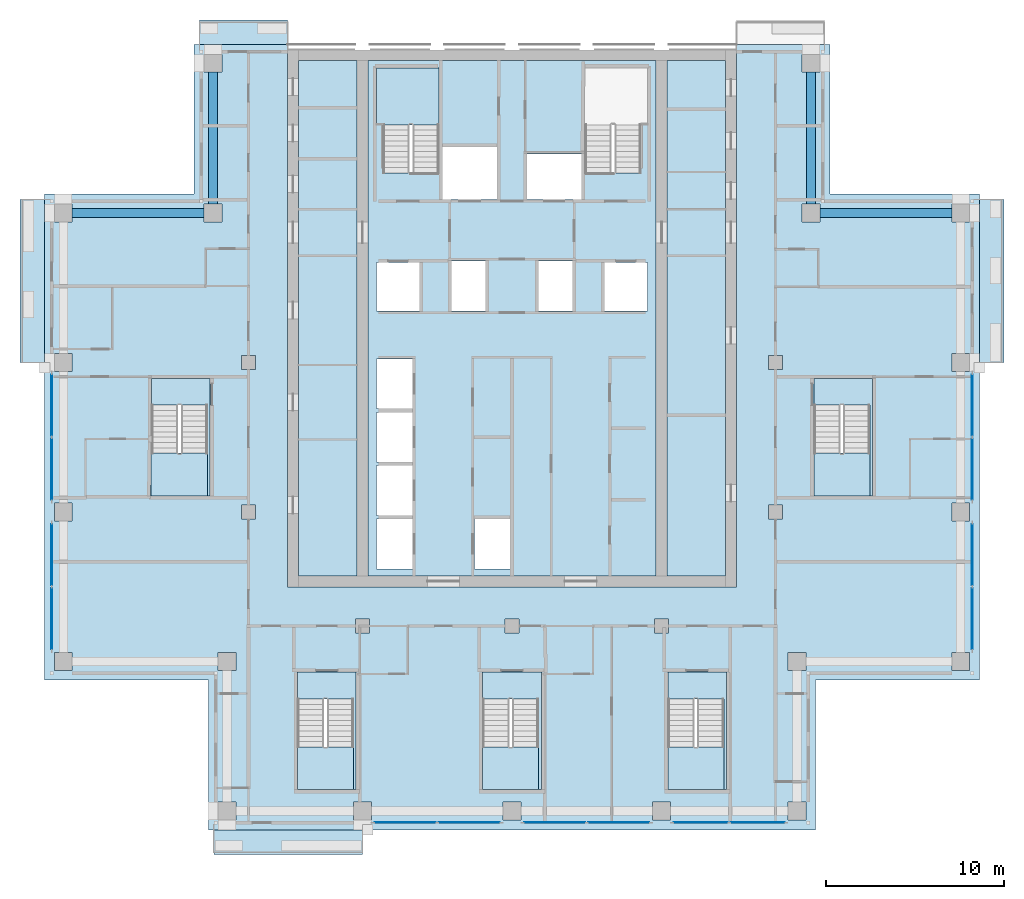
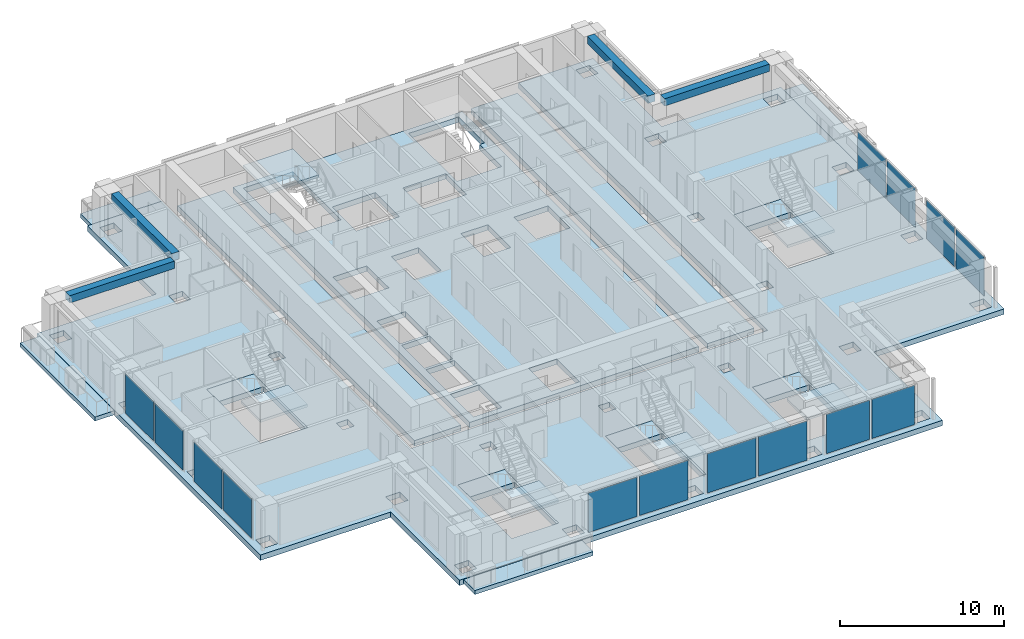
# One storey, part 6 of 16: 19 slabs, 14 plates, 4 beams, 13 elements without a shape of their own.
"""IFC4 building model written with IfcOpenShell, lengths in metres."""

from ifc_helpers import new_model, si_unit, direction, frame, origin, origin_2d, place, context, subcontext, project, spatial, polyline, rectangle, outline, extrude, material, layer, layer_set, material_profile, profile_set, type_object, element, aggregate, save


model = new_model("IFC4")

# Units and contexts
model_context = context("Model", 3, precision=1e-05, world=origin(), true_north=direction((0.0, 1.0)))
body_context = subcontext(model_context, "Body", "Model", "MODEL_VIEW")
ifc_project = project(units=[si_unit("LENGTHUNIT", "METRE"), si_unit("AREAUNIT", "SQUARE_METRE"), si_unit("VOLUMEUNIT", "CUBIC_METRE"), si_unit("PLANEANGLEUNIT", "RADIAN"), si_unit("MASSUNIT", "GRAM", prefix="KILO")], contexts=[model_context])

# Site, building, storey
site_placement = place(None, origin())
site = spatial("IfcSite", under=ifc_project, at=site_placement, CompositionType="ELEMENT")
building_placement = place(site_placement, origin())
building = spatial("IfcBuilding", under=site, at=building_placement, Name="Vermilion Ogive Tower", CompositionType="ELEMENT")
storey_placement = place(building_placement, frame((0.0, 0.0, 179.0)))
storey = spatial("IfcBuildingStorey", under=building, at=storey_placement, Name="L46", CompositionType="ELEMENT", Elevation=179.0)

# Beams
ifc_material_1 = material(Name="Concrete B45", Category="concrete")
ifc_material_profile = material_profile(ifc_material_1, rectangle(XDim=0.5, YDim=0.550048828125, at=origin_2d()), Name="500 x 550")
ifc_profile_set = profile_set([ifc_material_profile], Name="Concrete B45")
beam_type = type_object("IfcBeamType", Name="Edge beam 500 x 550 B45", PredefinedType="BEAM", material=ifc_profile_set)
for number, where, z_axis, x_axis, name in (
    (1, (24.699951171875, 12.60009765625, 2.77490234375), (-1.0, 0.0, 0.0), (0.0, -1.0, 0.0), "L46-EB-10"),
    (2, (16.800048828125, 13.10009765625, 2.77490234375), (0.0, 1.0, 0.0), (-1.0, 0.0, 0.0), "L46-EB-11"),
    (3, (-16.800048828125, 20.5, 2.77490234375), (0.0, -1.0, 0.0), (1.0, 0.0, 0.0), "L46-EB-12"),
    (4, (-17.300048828125, 12.60009765625, 2.77490234375), (-1.0, 0.0, 0.0), (0.0, -1.0, 0.0), "L46-EB-13"),
):
    element("IfcBeam", number, at=place(storey_placement, frame(where, z_axis=z_axis, x_axis=x_axis)), inside=storey, type_object=beam_type, Name=name, PredefinedType="BEAM", context=body_context, shape_type="SweptSolid", body=[
        extrude(rectangle(XDim=0.5, YDim=0.550048828125, at=origin_2d()), origin(), (0.0, 0.0, 1.0), 7.39990234375),
    ])

# Slabs
ifc_material_2 = material(Name="Concrete B40", Category="concrete")
ifc_layer_1 = layer(ifc_material_2, 0.300048828125)
ifc_layer_set_1 = layer_set([ifc_layer_1], Name="Balcony slab")
slab_type_1 = type_object("IfcSlabType", Name="Balcony slab", PredefinedType="FLOOR", material=ifc_layer_set_1)
slab_1_placement = place(storey_placement, frame((0.0, 0.0, -0.340087890625)))
element("IfcSlab", 5, at=slab_1_placement, inside=storey, type_object=slab_type_1, Name="Balcony slab S01", PredefinedType="FLOOR", context=body_context, shape_type="SweptSolid", body=[
    extrude(outline(polyline([(-16.75, -23.43408203125), (-8.39990234375, -23.43408203125), (-8.39990234375, -22.050048828125), (-16.75, -22.050048828125), (-16.75, -23.43408203125)])), origin(), (0.0, 0.0, 1.0), 0.300048828125),
])
slab_2_placement = place(storey_placement, frame((0.0, 0.0, -0.340087890625)))
element("IfcSlab", 6, at=slab_2_placement, inside=storey, type_object=slab_type_1, Name="Balcony slab E03", PredefinedType="FLOOR", context=body_context, shape_type="SweptSolid", body=[
    extrude(outline(polyline([(27.634033203125, 4.199951171875), (27.634033203125, 13.35009765625), (26.25, 13.35009765625), (26.25, 4.199951171875), (27.634033203125, 4.199951171875)])), origin(), (0.0, 0.0, 1.0), 0.300048828125),
])
slab_3_placement = place(storey_placement, frame((0.0, 0.0, -0.340087890625)))
element("IfcSlab", 7, at=slab_3_placement, inside=storey, type_object=slab_type_1, Name="Balcony slab N201", PredefinedType="FLOOR", context=body_context, shape_type="SweptSolid", body=[
    extrude(outline(polyline([(-12.60009765625, 23.43408203125), (-17.550048828125, 23.43408203125), (-17.550048828125, 22.050048828125), (-12.60009765625, 22.050048828125), (-12.60009765625, 23.43408203125)])), origin(), (0.0, 0.0, 1.0), 0.300048828125),
])
slab_4_placement = place(storey_placement, frame((0.0, 0.0, -0.340087890625)))
element("IfcSlab", 8, at=slab_4_placement, inside=storey, type_object=slab_type_1, Name="Balcony slab W01", PredefinedType="FLOOR", context=body_context, shape_type="SweptSolid", body=[
    extrude(outline(polyline([(-27.634033203125, 13.35009765625), (-27.634033203125, 4.199951171875), (-26.25, 4.199951171875), (-26.25, 13.35009765625), (-27.634033203125, 13.35009765625)])), origin(), (0.0, 0.0, 1.0), 0.300048828125),
])

# Curtain wall, plates
ifc_material_3 = material(Name="Low-iron laminated glazing in aluminium frame", Category="aluminium")
curtain_wall_type = type_object("IfcCurtainWallType", Name="Curtain wall CW7", PredefinedType="NOTDEFINED", material=ifc_material_3)
curtain_wall_1_placement = place(storey_placement, origin())
curtain_wall_1 = element("IfcCurtainWall", 9, at=curtain_wall_1_placement, inside=storey, type_object=curtain_wall_type, Name="Glazed skin S2", PredefinedType="NOTDEFINED")
ifc_material_4 = material(Name="Low-iron laminated glazing in aluminium frame", Category="aluminium")
ifc_layer_2 = layer(ifc_material_4, 0.031982421875)
ifc_layer_set_2 = layer_set([ifc_layer_2], Name="CW7 glazing panel 32")
plate_type = type_object("IfcPlateType", Name="CW7 glazing panel 32", PredefinedType="CURTAIN_PANEL", material=ifc_layer_set_2)
plate_1_placement = place(storey_placement, frame((-6.0048828125, -21.64990234375, 0.06005859375), z_axis=(0.0, 0.0, 1.0), x_axis=(1.0, 0.0, 0.0)))
plate_1 = element("IfcPlate", 10, at=plate_1_placement, type_object=plate_type, Name="CW7-S2 panel 1.1", PredefinedType="CURTAIN_PANEL", context=body_context, shape_type="SweptSolid", body=[
    extrude(rectangle(XDim=3.429931640625, YDim=0.031982421875, at=origin_2d()), origin(), (0.0, 0.0, 1.0), 2.929931640625),
])
plate_2_placement = place(storey_placement, frame((-2.39501953125, -21.64990234375, 0.06005859375), z_axis=(0.0, 0.0, 1.0), x_axis=(1.0, 0.0, 0.0)))
plate_2 = element("IfcPlate", 11, at=plate_2_placement, type_object=plate_type, Name="CW7-S2 panel 2.1", PredefinedType="CURTAIN_PANEL", context=body_context, shape_type="SweptSolid", body=[
    extrude(rectangle(XDim=3.429931640625, YDim=0.031982421875, at=origin_2d()), origin(), (0.0, 0.0, 1.0), 2.929931640625),
])
aggregate(curtain_wall_1, [plate_1, plate_2])

curtain_wall_2_placement = place(storey_placement, origin())
curtain_wall_2 = element("IfcCurtainWall", 12, at=curtain_wall_2_placement, inside=storey, type_object=curtain_wall_type, Name="Glazed skin S3", PredefinedType="NOTDEFINED")
plate_3_placement = place(storey_placement, frame((2.39501953125, -21.64990234375, 0.06005859375), z_axis=(0.0, 0.0, 1.0), x_axis=(1.0, 0.0, 0.0)))
plate_3 = element("IfcPlate", 13, at=plate_3_placement, type_object=plate_type, Name="CW7-S3 panel 1.1", PredefinedType="CURTAIN_PANEL", context=body_context, shape_type="SweptSolid", body=[
    extrude(rectangle(XDim=3.429931640625, YDim=0.031982421875, at=origin_2d()), origin(), (0.0, 0.0, 1.0), 2.929931640625),
])
plate_4_placement = place(storey_placement, frame((6.0048828125, -21.64990234375, 0.06005859375), z_axis=(0.0, 0.0, 1.0), x_axis=(1.0, 0.0, 0.0)))
plate_4 = element("IfcPlate", 14, at=plate_4_placement, type_object=plate_type, Name="CW7-S3 panel 2.1", PredefinedType="CURTAIN_PANEL", context=body_context, shape_type="SweptSolid", body=[
    extrude(rectangle(XDim=3.429931640625, YDim=0.031982421875, at=origin_2d()), origin(), (0.0, 0.0, 1.0), 2.929931640625),
])
aggregate(curtain_wall_2, [plate_3, plate_4])

curtain_wall_3_placement = place(storey_placement, origin())
curtain_wall_3 = element("IfcCurtainWall", 15, at=curtain_wall_3_placement, inside=storey, type_object=curtain_wall_type, Name="Glazed skin S4", PredefinedType="NOTDEFINED")
plate_5_placement = place(storey_placement, frame((10.594970703125, -21.64990234375, 0.06005859375), z_axis=(0.0, 0.0, 1.0), x_axis=(1.0, 0.0, 0.0)))
plate_5 = element("IfcPlate", 16, at=plate_5_placement, type_object=plate_type, Name="CW7-S4 panel 1.1", PredefinedType="CURTAIN_PANEL", context=body_context, shape_type="SweptSolid", body=[
    extrude(rectangle(XDim=3.030029296875, YDim=0.031982421875, at=origin_2d()), origin(), (0.0, 0.0, 1.0), 2.929931640625),
])
plate_6_placement = place(storey_placement, frame((13.804931640625, -21.64990234375, 0.06005859375), z_axis=(0.0, 0.0, 1.0), x_axis=(1.0, 0.0, 0.0)))
plate_6 = element("IfcPlate", 17, at=plate_6_placement, type_object=plate_type, Name="CW7-S4 panel 2.1", PredefinedType="CURTAIN_PANEL", context=body_context, shape_type="SweptSolid", body=[
    extrude(rectangle(XDim=3.030029296875, YDim=0.031982421875, at=origin_2d()), origin(), (0.0, 0.0, 1.0), 2.929931640625),
])
aggregate(curtain_wall_3, [plate_5, plate_6])

curtain_wall_4_placement = place(storey_placement, origin())
curtain_wall_4 = element("IfcCurtainWall", 18, at=curtain_wall_4_placement, inside=storey, type_object=curtain_wall_type, Name="Glazed skin E1", PredefinedType="NOTDEFINED")
plate_7_placement = place(storey_placement, frame((25.85009765625, -10.205078125, 0.06005859375), z_axis=(0.0, 0.0, 1.0), x_axis=(0.0, 1.0, 0.0)))
plate_7 = element("IfcPlate", 19, at=plate_7_placement, type_object=plate_type, Name="CW7-E1 panel 1.1", PredefinedType="CURTAIN_PANEL", context=body_context, shape_type="SweptSolid", body=[
    extrude(rectangle(XDim=3.429931640625, YDim=0.031982421875, at=origin_2d()), origin(), (0.0, 0.0, 1.0), 2.929931640625),
])
plate_8_placement = place(storey_placement, frame((25.85009765625, -6.594970703125, 0.06005859375), z_axis=(0.0, 0.0, 1.0), x_axis=(0.0, 1.0, 0.0)))
plate_8 = element("IfcPlate", 20, at=plate_8_placement, type_object=plate_type, Name="CW7-E1 panel 2.1", PredefinedType="CURTAIN_PANEL", context=body_context, shape_type="SweptSolid", body=[
    extrude(rectangle(XDim=3.429931640625, YDim=0.031982421875, at=origin_2d()), origin(), (0.0, 0.0, 1.0), 2.929931640625),
])
aggregate(curtain_wall_4, [plate_7, plate_8])

curtain_wall_5_placement = place(storey_placement, origin())
curtain_wall_5 = element("IfcCurtainWall", 21, at=curtain_wall_5_placement, inside=storey, type_object=curtain_wall_type, Name="Glazed skin E2", PredefinedType="NOTDEFINED")
plate_9_placement = place(storey_placement, frame((25.85009765625, -1.804931640625, 0.06005859375), z_axis=(0.0, 0.0, 1.0), x_axis=(0.0, 1.0, 0.0)))
plate_9 = element("IfcPlate", 22, at=plate_9_placement, type_object=plate_type, Name="CW7-E2 panel 1.1", PredefinedType="CURTAIN_PANEL", context=body_context, shape_type="SweptSolid", body=[
    extrude(rectangle(XDim=3.429931640625, YDim=0.031982421875, at=origin_2d()), origin(), (0.0, 0.0, 1.0), 2.929931640625),
])
plate_10_placement = place(storey_placement, frame((25.85009765625, 1.804931640625, 0.06005859375), z_axis=(0.0, 0.0, 1.0), x_axis=(0.0, 1.0, 0.0)))
plate_10 = element("IfcPlate", 23, at=plate_10_placement, type_object=plate_type, Name="CW7-E2 panel 2.1", PredefinedType="CURTAIN_PANEL", context=body_context, shape_type="SweptSolid", body=[
    extrude(rectangle(XDim=3.429931640625, YDim=0.031982421875, at=origin_2d()), origin(), (0.0, 0.0, 1.0), 2.929931640625),
])
aggregate(curtain_wall_5, [plate_9, plate_10])

curtain_wall_6_placement = place(storey_placement, origin())
curtain_wall_6 = element("IfcCurtainWall", 24, at=curtain_wall_6_placement, inside=storey, type_object=curtain_wall_type, Name="Glazed skin W2", PredefinedType="NOTDEFINED")
plate_11_placement = place(storey_placement, frame((-25.85009765625, 1.804931640625, 0.06005859375), z_axis=(0.0, 0.0, 1.0), x_axis=(0.0, -1.0, 0.0)))
plate_11 = element("IfcPlate", 25, at=plate_11_placement, type_object=plate_type, Name="CW7-W2 panel 1.1", PredefinedType="CURTAIN_PANEL", context=body_context, shape_type="SweptSolid", body=[
    extrude(rectangle(XDim=3.429931640625, YDim=0.031982421875, at=origin_2d()), origin(), (0.0, 0.0, 1.0), 2.929931640625),
])
plate_12_placement = place(storey_placement, frame((-25.85009765625, -1.804931640625, 0.06005859375), z_axis=(0.0, 0.0, 1.0), x_axis=(0.0, -1.0, 0.0)))
plate_12 = element("IfcPlate", 26, at=plate_12_placement, type_object=plate_type, Name="CW7-W2 panel 2.1", PredefinedType="CURTAIN_PANEL", context=body_context, shape_type="SweptSolid", body=[
    extrude(rectangle(XDim=3.429931640625, YDim=0.031982421875, at=origin_2d()), origin(), (0.0, 0.0, 1.0), 2.929931640625),
])
aggregate(curtain_wall_6, [plate_11, plate_12])

curtain_wall_7_placement = place(storey_placement, origin())
curtain_wall_7 = element("IfcCurtainWall", 27, at=curtain_wall_7_placement, inside=storey, type_object=curtain_wall_type, Name="Glazed skin W3", PredefinedType="NOTDEFINED")
plate_13_placement = place(storey_placement, frame((-25.85009765625, -6.594970703125, 0.06005859375), z_axis=(0.0, 0.0, 1.0), x_axis=(0.0, -1.0, 0.0)))
plate_13 = element("IfcPlate", 28, at=plate_13_placement, type_object=plate_type, Name="CW7-W3 panel 1.1", PredefinedType="CURTAIN_PANEL", context=body_context, shape_type="SweptSolid", body=[
    extrude(rectangle(XDim=3.429931640625, YDim=0.031982421875, at=origin_2d()), origin(), (0.0, 0.0, 1.0), 2.929931640625),
])
plate_14_placement = place(storey_placement, frame((-25.85009765625, -10.205078125, 0.06005859375), z_axis=(0.0, 0.0, 1.0), x_axis=(0.0, -1.0, 0.0)))
plate_14 = element("IfcPlate", 29, at=plate_14_placement, type_object=plate_type, Name="CW7-W3 panel 2.1", PredefinedType="CURTAIN_PANEL", context=body_context, shape_type="SweptSolid", body=[
    extrude(rectangle(XDim=3.429931640625, YDim=0.031982421875, at=origin_2d()), origin(), (0.0, 0.0, 1.0), 2.929931640625),
])
aggregate(curtain_wall_7, [plate_13, plate_14])

# Slabs
ifc_material_5 = material(Name="Concrete B40", Category="concrete")
ifc_layer_3 = layer(ifc_material_5, 0.39990234375)
ifc_layer_set_3 = layer_set([ifc_layer_3], Name="Core floor slab 400 B40")
slab_type_2 = type_object("IfcSlabType", Name="Core floor slab 400 B40", PredefinedType="FLOOR", material=ifc_layer_set_3)
slab_5_placement = place(storey_placement, frame((0.0, 0.0, -0.39990234375)))
element("IfcSlab", 30, at=slab_5_placement, inside=storey, type_object=slab_type_2, Name="L46-CK-FS1", PredefinedType="FLOOR", context=body_context, shape_type="SweptSolid", body=[
    extrude(outline(polyline([(-11.99609375, 21.14599609375), (-8.7041015625, 21.14599609375), (-8.7041015625, -7.7958984375), (-11.99609375, -7.7958984375), (-11.99609375, 21.14599609375)])), origin(), (0.0, 0.0, 1.0), 0.39990234375),
])
slab_6_placement = place(storey_placement, frame((0.0, 0.0, -0.39990234375)))
element("IfcSlab", 31, at=slab_6_placement, inside=storey, type_object=slab_type_2, Name="L46-CK-FS2", PredefinedType="FLOOR", context=body_context, shape_type="SweptSolid", body=[
    extrude(outline(polyline([(-8.095947265625, -7.7958984375), (8.095947265625, -7.7958984375), (8.095947265625, 21.14599609375), (-8.095947265625, 21.14599609375), (-8.095947265625, -7.7958984375)]), holes=[polyline([(-7.60009765625, -7.39990234375), (-7.60009765625, -4.60009765625), (-5.60009765625, -4.60009765625), (-5.60009765625, -7.39990234375), (-7.60009765625, -7.39990234375)]), polyline([(-7.60009765625, -4.39990234375), (-7.60009765625, -1.60009765625), (-5.60009765625, -1.60009765625), (-5.60009765625, -4.39990234375), (-7.60009765625, -4.39990234375)]), polyline([(-7.60009765625, -1.39990234375), (-7.60009765625, 1.39990234375), (-5.60009765625, 1.39990234375), (-5.60009765625, -1.39990234375), (-7.60009765625, -1.39990234375)]), polyline([(-7.60009765625, 1.60009765625), (-7.60009765625, 4.39990234375), (-5.60009765625, 4.39990234375), (-5.60009765625, 1.60009765625), (-7.60009765625, 1.60009765625)]), polyline([(-7.60009765625, 7.10009765625), (-7.60009765625, 9.800048828125), (-5.199951171875, 9.800048828125), (-5.199951171875, 7.10009765625), (-7.60009765625, 7.10009765625)]), polyline([(-3.39990234375, 9.89990234375), (-1.5, 9.89990234375), (-1.5, 7.10009765625), (-3.39990234375, 7.10009765625), (-3.39990234375, 9.89990234375)]), polyline([(-7.60009765625, 17.550048828125), (-7.60009765625, 20.75), (-4.10009765625, 20.75), (-4.10009765625, 14.85205078125), (-5.60009765625, 14.85205078125), (-5.60009765625, 14.85009765625), (-5.75, 14.85009765625), (-5.75, 14.85205078125), (-7.25, 14.85205078125), (-7.25, 17.550048828125), (-7.60009765625, 17.550048828125)]), polyline([(-2.10009765625, -7.39990234375), (-2.10009765625, -4.60009765625), (-0.10009765625, -4.60009765625), (-0.10009765625, -7.39990234375), (-2.10009765625, -7.39990234375)]), polyline([(5.199951171875, 7.10009765625), (5.199951171875, 9.800048828125), (7.60009765625, 9.800048828125), (7.60009765625, 7.10009765625), (5.199951171875, 7.10009765625)]), polyline([(1.5, 7.10009765625), (1.5, 9.89990234375), (3.39990234375, 9.89990234375), (3.39990234375, 7.10009765625), (1.5, 7.10009765625)]), polyline([(0.85009765625, 13.35009765625), (0.85009765625, 15.89990234375), (3.89990234375, 15.89990234375), (3.89990234375, 13.35009765625), (0.85009765625, 13.35009765625)]), polyline([(-3.89990234375, 16.300048828125), (-0.85009765625, 16.300048828125), (-0.85009765625, 13.35009765625), (-3.89990234375, 13.35009765625), (-3.89990234375, 16.300048828125)]), polyline([(5.75, 14.85009765625), (5.60009765625, 14.85009765625), (5.60009765625, 14.85205078125), (4.10009765625, 14.85205078125), (4.10009765625, 17.550048828125), (4.074951171875, 17.550048828125), (4.074951171875, 20.75), (7.60009765625, 20.75), (7.60009765625, 17.550048828125), (7.25, 17.550048828125), (7.25, 14.85205078125), (5.75, 14.85205078125), (5.75, 14.85009765625)])]), origin(), (0.0, 0.0, 1.0), 0.39990234375),
])
slab_7_placement = place(storey_placement, frame((0.0, 0.0, -0.39990234375)))
element("IfcSlab", 32, at=slab_7_placement, inside=storey, type_object=slab_type_2, Name="L46-CK-FS3", PredefinedType="FLOOR", context=body_context, shape_type="SweptSolid", body=[
    extrude(outline(polyline([(11.99609375, 21.14599609375), (11.99609375, -7.7958984375), (8.7041015625, -7.7958984375), (8.7041015625, 21.14599609375), (11.99609375, 21.14599609375)])), origin(), (0.0, 0.0, 1.0), 0.39990234375),
])
slab_8_placement = place(storey_placement, frame((0.0, 0.0, -0.39990234375)))
element("IfcSlab", 33, at=slab_8_placement, inside=storey, type_object=slab_type_2, Name="L46-SF-ST3-1", PredefinedType="FLOOR", context=body_context, shape_type="SweptSolid", body=[
    extrude(outline(polyline([(-12.050048828125, -13.199951171875), (-12.050048828125, -14.701904296875), (-10.550048828125, -14.701904296875), (-10.550048828125, -14.699951171875), (-10.39990234375, -14.699951171875), (-10.39990234375, -14.701904296875), (-8.89990234375, -14.701904296875), (-8.89990234375, -19.800048828125), (-8.75, -19.800048828125), (-8.75, -13.199951171875), (-12.050048828125, -13.199951171875)])), origin(), (0.0, 0.0, 1.0), 0.39990234375),
])
slab_9_placement = place(storey_placement, frame((0.0, 0.0, -0.39990234375)))
element("IfcSlab", 34, at=slab_9_placement, inside=storey, type_object=slab_type_2, Name="L46-SF-ST4-1", PredefinedType="FLOOR", context=body_context, shape_type="SweptSolid", body=[
    extrude(outline(polyline([(-1.64990234375, -13.199951171875), (-1.64990234375, -14.701904296875), (-0.14990234375, -14.701904296875), (-0.14990234375, -14.699951171875), (0.0, -14.699951171875), (0.0, -14.701904296875), (1.5, -14.701904296875), (1.5, -19.800048828125), (1.64990234375, -19.800048828125), (1.64990234375, -13.199951171875), (-1.64990234375, -13.199951171875)])), origin(), (0.0, 0.0, 1.0), 0.39990234375),
])
slab_10_placement = place(storey_placement, frame((0.0, 0.0, -0.39990234375)))
element("IfcSlab", 35, at=slab_10_placement, inside=storey, type_object=slab_type_2, Name="L46-SF-ST5-1", PredefinedType="FLOOR", context=body_context, shape_type="SweptSolid", body=[
    extrude(outline(polyline([(8.75, -13.199951171875), (8.75, -14.701904296875), (10.25, -14.701904296875), (10.25, -14.699951171875), (10.39990234375, -14.699951171875), (10.39990234375, -14.701904296875), (11.89990234375, -14.701904296875), (11.89990234375, -19.800048828125), (12.050048828125, -19.800048828125), (12.050048828125, -13.199951171875), (8.75, -13.199951171875)])), origin(), (0.0, 0.0, 1.0), 0.39990234375),
])
slab_11_placement = place(storey_placement, frame((0.0, 0.0, -0.39990234375)))
element("IfcSlab", 36, at=slab_11_placement, inside=storey, type_object=slab_type_2, Name="L46-SF-ST8-1", PredefinedType="FLOOR", context=body_context, shape_type="SweptSolid", body=[
    extrude(outline(polyline([(16.949951171875, 3.300048828125), (16.949951171875, 1.798095703125), (18.449951171875, 1.798095703125), (18.449951171875, 1.800048828125), (18.60009765625, 1.800048828125), (18.60009765625, 1.798095703125), (20.10009765625, 1.798095703125), (20.10009765625, -3.300048828125), (20.25, -3.300048828125), (20.25, 3.300048828125), (16.949951171875, 3.300048828125)])), origin(), (0.0, 0.0, 1.0), 0.39990234375),
])
slab_12_placement = place(storey_placement, frame((0.0, 0.0, -0.39990234375)))
element("IfcSlab", 37, at=slab_12_placement, inside=storey, type_object=slab_type_2, Name="L46-SF-ST9-1", PredefinedType="FLOOR", context=body_context, shape_type="SweptSolid", body=[
    extrude(outline(polyline([(-20.25, 3.300048828125), (-20.25, 1.798095703125), (-18.75, 1.798095703125), (-18.75, 1.800048828125), (-18.60009765625, 1.800048828125), (-18.60009765625, 1.798095703125), (-17.10009765625, 1.798095703125), (-17.10009765625, -3.300048828125), (-16.949951171875, -3.300048828125), (-16.949951171875, 3.300048828125), (-20.25, 3.300048828125)])), origin(), (0.0, 0.0, 1.0), 0.39990234375),
])
ifc_material_6 = material(Name="Concrete B45", Category="concrete")
ifc_layer_4 = layer(ifc_material_6, 0.39990234375)
ifc_layer_set_4 = layer_set([ifc_layer_4], Name="Post-tensioned flat plate 400 B45")
slab_type_3 = type_object("IfcSlabType", Name="Post-tensioned flat plate 400 B45", PredefinedType="FLOOR", material=ifc_layer_set_4)
slab_13_placement = place(storey_placement, frame((0.0, 0.0, -0.39990234375)))
element("IfcSlab", 38, at=slab_13_placement, inside=storey, type_object=slab_type_3, Name="L46-SL-1", PredefinedType="FLOOR", context=body_context, shape_type="SweptSolid", body=[
    extrude(outline(polyline([(-26.25, -13.64990234375), (-17.050048828125, -13.64990234375), (-17.050048828125, -22.050048828125), (17.050048828125, -22.050048828125), (17.050048828125, -13.64990234375), (26.25, -13.64990234375), (26.25, 13.64990234375), (17.85009765625, 13.64990234375), (17.85009765625, 22.050048828125), (12.60009765625, 22.050048828125), (12.60009765625, -8.39990234375), (-12.60009765625, -8.39990234375), (-12.60009765625, 22.050048828125), (-17.85009765625, 22.050048828125), (-17.85009765625, 13.64990234375), (-26.25, 13.64990234375), (-26.25, -13.64990234375)]), holes=[polyline([(25.699951171875, -3.699951171875), (25.699951171875, -4.699951171875), (24.699951171875, -4.699951171875), (24.699951171875, -3.699951171875), (25.699951171875, -3.699951171875)]), polyline([(25.699951171875, -12.10009765625), (25.699951171875, -13.10009765625), (24.699951171875, -13.10009765625), (24.699951171875, -12.10009765625), (25.699951171875, -12.10009765625)]), polyline([(25.699951171875, 12.10009765625), (24.699951171875, 12.10009765625), (24.699951171875, 13.10009765625), (25.699951171875, 13.10009765625), (25.699951171875, 12.10009765625)]), polyline([(25.699951171875, 3.699951171875), (24.699951171875, 3.699951171875), (24.699951171875, 4.699951171875), (25.699951171875, 4.699951171875), (25.699951171875, 3.699951171875)]), polyline([(20.25, 3.300048828125), (20.25, -3.300048828125), (16.949951171875, -3.300048828125), (16.949951171875, 3.300048828125), (20.25, 3.300048828125)]), polyline([(17.300048828125, 13.10009765625), (17.300048828125, 12.10009765625), (16.300048828125, 12.10009765625), (16.300048828125, 13.10009765625), (17.300048828125, 13.10009765625)]), polyline([(17.300048828125, 20.5), (16.300048828125, 20.5), (16.300048828125, 21.5), (17.300048828125, 21.5), (17.300048828125, 20.5)]), polyline([(16.5, -12.10009765625), (16.5, -13.10009765625), (15.5, -13.10009765625), (15.5, -12.10009765625), (16.5, -12.10009765625)]), polyline([(16.5, -20.5), (16.5, -21.5), (15.5, -21.5), (15.5, -20.5), (16.5, -20.5)]), polyline([(15.199951171875, 4.60009765625), (15.199951171875, 3.800048828125), (14.39990234375, 3.800048828125), (14.39990234375, 4.60009765625), (15.199951171875, 4.60009765625)]), polyline([(15.199951171875, -4.60009765625), (14.39990234375, -4.60009765625), (14.39990234375, -3.800048828125), (15.199951171875, -3.800048828125), (15.199951171875, -4.60009765625)]), polyline([(12.050048828125, -13.199951171875), (12.050048828125, -19.800048828125), (8.75, -19.800048828125), (8.75, -13.199951171875), (12.050048828125, -13.199951171875)]), polyline([(8.89990234375, -20.5), (8.89990234375, -21.5), (7.89990234375, -21.5), (7.89990234375, -20.5), (8.89990234375, -20.5)]), polyline([(8.800048828125, -11.0), (8.0, -11.0), (8.0, -10.199951171875), (8.800048828125, -10.199951171875), (8.800048828125, -11.0)]), polyline([(1.64990234375, -13.199951171875), (1.64990234375, -19.800048828125), (-1.64990234375, -19.800048828125), (-1.64990234375, -13.199951171875), (1.64990234375, -13.199951171875)]), polyline([(0.5, -20.5), (0.5, -21.5), (-0.5, -21.5), (-0.5, -20.5), (0.5, -20.5)]), polyline([(0.39990234375, -10.199951171875), (0.39990234375, -11.0), (-0.39990234375, -11.0), (-0.39990234375, -10.199951171875), (0.39990234375, -10.199951171875)]), polyline([(-7.89990234375, -20.5), (-7.89990234375, -21.5), (-8.89990234375, -21.5), (-8.89990234375, -20.5), (-7.89990234375, -20.5)]), polyline([(-8.0, -10.199951171875), (-8.0, -11.0), (-8.800048828125, -11.0), (-8.800048828125, -10.199951171875), (-8.0, -10.199951171875)]), polyline([(-8.75, -13.199951171875), (-8.75, -19.800048828125), (-12.050048828125, -19.800048828125), (-12.050048828125, -13.199951171875), (-8.75, -13.199951171875)]), polyline([(-14.39990234375, 4.60009765625), (-14.39990234375, 3.800048828125), (-15.199951171875, 3.800048828125), (-15.199951171875, 4.60009765625), (-14.39990234375, 4.60009765625)]), polyline([(-14.39990234375, -4.60009765625), (-15.199951171875, -4.60009765625), (-15.199951171875, -3.800048828125), (-14.39990234375, -3.800048828125), (-14.39990234375, -4.60009765625)]), polyline([(-15.5, -12.10009765625), (-15.5, -13.10009765625), (-16.5, -13.10009765625), (-16.5, -12.10009765625), (-15.5, -12.10009765625)]), polyline([(-15.5, -20.5), (-15.5, -21.5), (-16.5, -21.5), (-16.5, -20.5), (-15.5, -20.5)]), polyline([(-16.300048828125, 13.10009765625), (-16.300048828125, 12.10009765625), (-17.300048828125, 12.10009765625), (-17.300048828125, 13.10009765625), (-16.300048828125, 13.10009765625)]), polyline([(-16.300048828125, 20.5), (-17.300048828125, 20.5), (-17.300048828125, 21.5), (-16.300048828125, 21.5), (-16.300048828125, 20.5)]), polyline([(-16.949951171875, 3.300048828125), (-16.949951171875, -3.300048828125), (-20.25, -3.300048828125), (-20.25, -3.2998046875), (-20.275146484375, -3.2998046875), (-20.275146484375, -0.89990234375), (-20.25, -0.89990234375), (-20.25, 3.300048828125), (-16.949951171875, 3.300048828125)]), polyline([(-24.699951171875, 3.699951171875), (-25.699951171875, 3.699951171875), (-25.699951171875, 4.699951171875), (-24.699951171875, 4.699951171875), (-24.699951171875, 3.699951171875)]), polyline([(-24.699951171875, 13.10009765625), (-24.699951171875, 12.10009765625), (-25.699951171875, 12.10009765625), (-25.699951171875, 13.10009765625), (-24.699951171875, 13.10009765625)]), polyline([(-24.699951171875, -3.699951171875), (-24.699951171875, -4.699951171875), (-25.699951171875, -4.699951171875), (-25.699951171875, -3.699951171875), (-24.699951171875, -3.699951171875)]), polyline([(-24.699951171875, -12.10009765625), (-24.699951171875, -13.10009765625), (-25.699951171875, -13.10009765625), (-25.699951171875, -12.10009765625), (-24.699951171875, -12.10009765625)])]), origin(), (0.0, 0.0, 1.0), 0.39990234375),
])

# Stair, slab
ifc_material_7 = material(Name="Concrete B40", Category="concrete")
stair_type = type_object("IfcStairType", Name="Exit stair 1500", PredefinedType="HALF_TURN_STAIR", material=ifc_material_7)
stair_1_placement = place(storey_placement, origin())
stair_1 = element("IfcStair", 39, at=stair_1_placement, inside=storey, type_object=stair_type, Name="L46 Exit Stair ST1", PredefinedType="HALF_TURN_STAIR")
ifc_material_8 = material(Name="Concrete B40", Category="concrete")
ifc_layer_5 = layer(ifc_material_8, 0.199951171875)
ifc_layer_set_5 = layer_set([ifc_layer_5], Name="Stair landing 200")
slab_type_4 = type_object("IfcSlabType", Name="Stair landing 200", PredefinedType="LANDING", material=ifc_layer_set_5)
slab_14_placement = place(storey_placement, frame((0.0, 0.0, 1.52490234375)))
slab_14 = element("IfcSlab", 40, at=slab_14_placement, type_object=slab_type_4, Name="ST1 landing 1", PredefinedType="LANDING", context=body_context, shape_type="SweptSolid", body=[
    extrude(outline(polyline([(-7.60009765625, 17.550048828125), (-7.25, 17.550048828125), (-7.25, 17.548095703125), (-5.75, 17.548095703125), (-5.75, 17.550048828125), (-5.60009765625, 17.550048828125), (-5.60009765625, 17.548095703125), (-4.10009765625, 17.548095703125), (-4.10009765625, 20.75), (-7.60009765625, 20.75), (-7.60009765625, 17.550048828125)])), origin(), (0.0, 0.0, 1.0), 0.2001953125),
])
aggregate(stair_1, [slab_14])

stair_2_placement = place(storey_placement, origin())
stair_2 = element("IfcStair", 41, at=stair_2_placement, inside=storey, type_object=stair_type, Name="L46 Exit Stair ST3", PredefinedType="HALF_TURN_STAIR")
slab_15_placement = place(storey_placement, frame((0.0, 0.0, 1.52490234375)))
slab_15 = element("IfcSlab", 42, at=slab_15_placement, type_object=slab_type_4, Name="ST3 landing 1", PredefinedType="LANDING", context=body_context, shape_type="SweptSolid", body=[
    extrude(outline(polyline([(-8.75, -17.39990234375), (-8.89990234375, -17.39990234375), (-8.89990234375, -17.39794921875), (-10.39990234375, -17.39794921875), (-10.39990234375, -17.39990234375), (-10.550048828125, -17.39990234375), (-10.550048828125, -17.39794921875), (-12.050048828125, -17.39794921875), (-12.050048828125, -17.402099609375), (-12.0498046875, -17.402099609375), (-12.0498046875, -19.7998046875), (-8.75, -19.7998046875), (-8.75, -17.39990234375)])), origin(), (0.0, 0.0, 1.0), 0.2001953125),
])
aggregate(stair_2, [slab_15])

stair_3_placement = place(storey_placement, origin())
stair_3 = element("IfcStair", 43, at=stair_3_placement, inside=storey, type_object=stair_type, Name="L46 Exit Stair ST4", PredefinedType="HALF_TURN_STAIR")
slab_16_placement = place(storey_placement, frame((0.0, 0.0, 1.52490234375)))
slab_16 = element("IfcSlab", 44, at=slab_16_placement, type_object=slab_type_4, Name="ST4 landing 1", PredefinedType="LANDING", context=body_context, shape_type="SweptSolid", body=[
    extrude(outline(polyline([(1.64990234375, -17.39990234375), (1.5, -17.39990234375), (1.5, -17.39794921875), (0.0, -17.39794921875), (0.0, -17.39990234375), (-0.14990234375, -17.39990234375), (-0.14990234375, -17.39794921875), (-1.64990234375, -17.39794921875), (-1.64990234375, -19.7998046875), (1.64990234375, -19.7998046875), (1.64990234375, -17.39990234375)])), origin(), (0.0, 0.0, 1.0), 0.2001953125),
])
aggregate(stair_3, [slab_16])

stair_4_placement = place(storey_placement, origin())
stair_4 = element("IfcStair", 45, at=stair_4_placement, inside=storey, type_object=stair_type, Name="L46 Exit Stair ST5", PredefinedType="HALF_TURN_STAIR")
slab_17_placement = place(storey_placement, frame((0.0, 0.0, 1.52490234375)))
slab_17 = element("IfcSlab", 46, at=slab_17_placement, type_object=slab_type_4, Name="ST5 landing 1", PredefinedType="LANDING", context=body_context, shape_type="SweptSolid", body=[
    extrude(outline(polyline([(12.0498046875, -17.39990234375), (11.89990234375, -17.39990234375), (11.89990234375, -17.39794921875), (10.39990234375, -17.39794921875), (10.39990234375, -17.39990234375), (10.25, -17.39990234375), (10.25, -17.39794921875), (8.75, -17.39794921875), (8.75, -17.39990234375), (8.75, -17.39990234375), (8.75, -19.7998046875), (12.0498046875, -19.7998046875), (12.0498046875, -17.39990234375)])), origin(), (0.0, 0.0, 1.0), 0.2001953125),
])
aggregate(stair_4, [slab_17])

stair_5_placement = place(storey_placement, origin())
stair_5 = element("IfcStair", 47, at=stair_5_placement, inside=storey, type_object=stair_type, Name="L46 Exit Stair ST8", PredefinedType="HALF_TURN_STAIR")
slab_18_placement = place(storey_placement, frame((0.0, 0.0, 1.52490234375)))
slab_18 = element("IfcSlab", 48, at=slab_18_placement, type_object=slab_type_4, Name="ST8 landing 1", PredefinedType="LANDING", context=body_context, shape_type="SweptSolid", body=[
    extrude(outline(polyline([(20.25, -0.89990234375), (20.10009765625, -0.89990234375), (20.10009765625, -0.89794921875), (18.60009765625, -0.89794921875), (18.60009765625, -0.89990234375), (18.449951171875, -0.89990234375), (18.449951171875, -0.89794921875), (16.949951171875, -0.89794921875), (16.949951171875, -0.902099609375), (16.9501953125, -0.902099609375), (16.9501953125, -3.2998046875), (20.25, -3.2998046875), (20.25, -0.89990234375)])), origin(), (0.0, 0.0, 1.0), 0.2001953125),
])
aggregate(stair_5, [slab_18])

stair_6_placement = place(storey_placement, origin())
stair_6 = element("IfcStair", 49, at=stair_6_placement, inside=storey, type_object=stair_type, Name="L46 Exit Stair ST9", PredefinedType="HALF_TURN_STAIR")
slab_19_placement = place(storey_placement, frame((0.0, 0.0, 1.52490234375)))
slab_19 = element("IfcSlab", 50, at=slab_19_placement, type_object=slab_type_4, Name="ST9 landing 1", PredefinedType="LANDING", context=body_context, shape_type="SweptSolid", body=[
    extrude(outline(polyline([(-16.9501953125, -0.89990234375), (-17.10009765625, -0.89990234375), (-17.10009765625, -0.89794921875), (-18.60009765625, -0.89794921875), (-18.60009765625, -0.89990234375), (-18.75, -0.89990234375), (-18.75, -0.89794921875), (-20.25, -0.89794921875), (-20.25, -0.89990234375), (-20.275146484375, -0.89990234375), (-20.275146484375, -3.2998046875), (-16.9501953125, -3.2998046875), (-16.9501953125, -0.89990234375)])), origin(), (0.0, 0.0, 1.0), 0.2001953125),
])
aggregate(stair_6, [slab_19])

save(model, "model.ifc")
